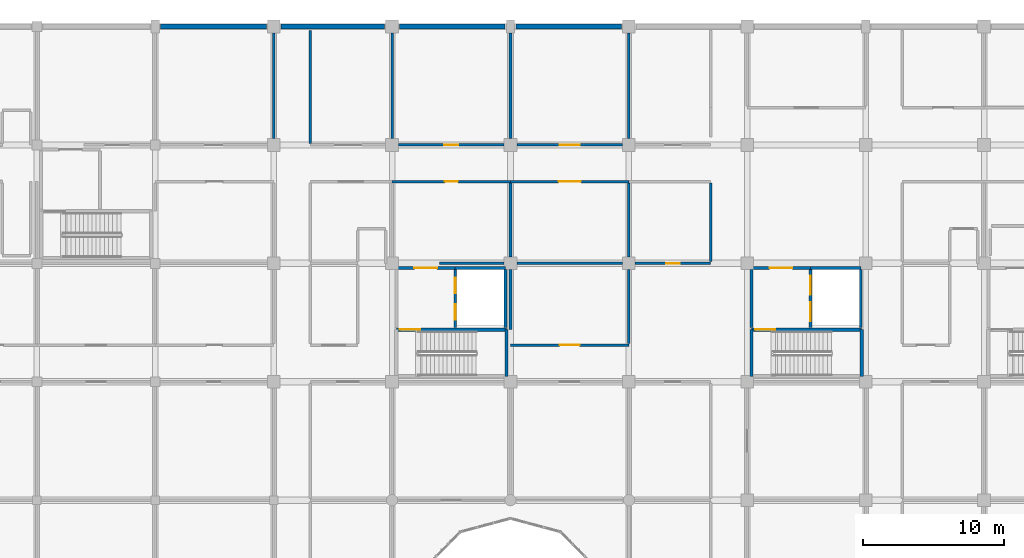
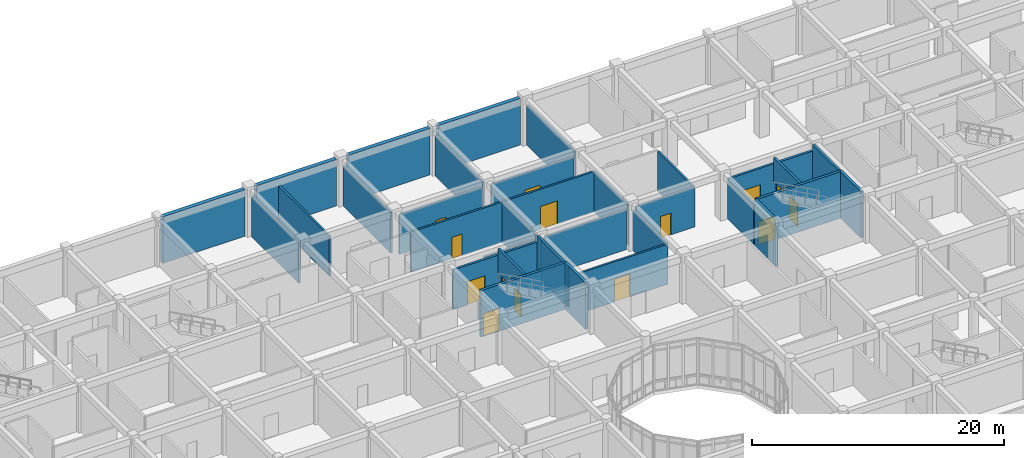
# One storey, part 105 of 138: 36 walls, 14 doors, 14 openings.
"""IFC4 building model written with IfcOpenShell, lengths in metres."""

from ifc_helpers import new_model, si_unit, direction, frame, frame_2d, origin, place, context, subcontext, project, spatial, rectangle, extrude, material, layer, layer_set, type_object, element, fill, save


model = new_model("IFC4")

# Units and contexts
model_context = context("Model", 3, precision=1e-05, world=origin(), true_north=direction((0.0, 1.0)))
body_context = subcontext(model_context, "Body", "Model", "MODEL_VIEW")
ifc_project = project(units=[si_unit("LENGTHUNIT", "METRE"), si_unit("AREAUNIT", "SQUARE_METRE"), si_unit("VOLUMEUNIT", "CUBIC_METRE"), si_unit("PLANEANGLEUNIT", "RADIAN"), si_unit("MASSUNIT", "GRAM", prefix="KILO")], contexts=[model_context])

# Site, building, storey
site_placement = place(None, origin())
site = spatial("IfcSite", under=ifc_project, at=site_placement, CompositionType="ELEMENT")
building_placement = place(site_placement, origin())
building = spatial("IfcBuilding", under=site, at=building_placement, Name="Bramfleet General Hospital", CompositionType="ELEMENT")
storey_placement = place(building_placement, origin())
storey = spatial("IfcBuildingStorey", under=building, at=storey_placement, Name="L00", CompositionType="ELEMENT", Elevation=0.0)

# Walls
ifc_material_1 = material(Name="Concrete C35/45", Category="concrete")
ifc_layer_1 = layer(ifc_material_1, 0.360107421875, Name="WT-EW-02")
ifc_layer_set_1 = layer_set([ifc_layer_1], Name="Concrete C35/45")
wall_type_1 = type_object("IfcWallType", Name="WT-EW-02", PredefinedType="SOLIDWALL", material=ifc_layer_set_1)
wall_1_placement = place(storey_placement, frame((59.175048828125, 117.60009765625, 0.0), z_axis=(0.0, 0.0, 1.0), x_axis=(1.0, 0.0, 0.0)))
element("IfcWall", 1, at=wall_1_placement, inside=storey, type_object=wall_type_1, Name="L00 North REI 90-M Party Wall 112", PredefinedType="SOLIDWALL", context=body_context, shape_type="SweptSolid", body=[
    extrude(rectangle(XDim=7.5, YDim=0.360107421875, at=frame_2d((3.75, 0.0))), origin(), (0.0, 0.0, 1.0), 4.5),
])
wall_2_placement = place(storey_placement, frame((67.72509765625, 117.60009765625, 0.0), z_axis=(0.0, 0.0, 1.0), x_axis=(1.0, 0.0, 0.0)))
element("IfcWall", 2, at=wall_2_placement, inside=storey, type_object=wall_type_1, Name="L00 North REI 90-M Party Wall 113", PredefinedType="SOLIDWALL", context=body_context, shape_type="SweptSolid", body=[
    extrude(rectangle(XDim=7.349853515625, YDim=0.360107421875, at=frame_2d((3.6748046875, 0.0))), origin(), (0.0, 0.0, 1.0), 4.5),
])
for number, where, z_axis, x_axis, name in (
    (3, (76.125, 117.60009765625, 0.0), (0.0, 0.0, 1.0), (1.0, 0.0, 0.0), "L00 North REI 90-M Party Wall 114"),
    (4, (84.375, 117.60009765625, 0.0), (0.0, 0.0, 1.0), (1.0, 0.0, 0.0), "L00 North REI 90-M Party Wall 115"),
):
    element("IfcWall", number, at=place(storey_placement, frame(where, z_axis=z_axis, x_axis=x_axis)), inside=storey, type_object=wall_type_1, Name=name, PredefinedType="SOLIDWALL", context=body_context, shape_type="SweptSolid", body=[
        extrude(rectangle(XDim=7.5, YDim=0.360107421875, at=frame_2d((3.75, 0.0))), origin(), (0.0, 0.0, 1.0), 4.5),
    ])

# Wall, openings, doors
ifc_layer_2 = layer(ifc_material_1, 0.205078125, Name="WT-IW-02")
ifc_layer_set_2 = layer_set([ifc_layer_2], Name="Concrete C35/45")
wall_type_2 = type_object("IfcWallType", Name="WT-IW-02", PredefinedType="PARTITIONING", material=ifc_layer_set_2)
wall_3_placement = place(storey_placement, frame((105.280029296875, 96.239990234375, 0.0), z_axis=(0.0, 0.0, 1.0), x_axis=(0.0, 1.0, 0.0)))
wall_3 = element("IfcWall", 5, at=wall_3_placement, inside=storey, type_object=wall_type_2, Name="L00 C4 Lobby East Shaft Wall", PredefinedType="PARTITIONING", context=body_context, shape_type="SweptSolid", body=[
    extrude(rectangle(XDim=4.1201171875, YDim=0.205078125, at=frame_2d((2.06005859375, 0.0))), origin(), (0.0, 0.0, 1.0), 4.489990234375),
])
opening_1_placement = place(wall_3_placement, frame((0.445068359375, 0.0, 0.0)))
opening_1 = element("IfcOpeningElement", 6, at=opening_1_placement, cuts=wall_3, Name="Opening LD-FL-02-L00", PredefinedType="OPENING", context=body_context, shape_type="SweptSolid", body=[
    extrude(rectangle(XDim=1.35009765625, YDim=2.199951171875, at=frame_2d((0.675048828125, 1.10009765625))), frame((0.0, 0.112548828125, 0.0), z_axis=(0.0, -1.0, 0.0), x_axis=(1.0, 0.0, 0.0)), (0.0, 0.0, 1.0), 0.22509765625),
])
opening_2_placement = place(wall_3_placement, frame((2.324951171875, 0.0, 0.0)))
opening_2 = element("IfcOpeningElement", 7, at=opening_2_placement, cuts=wall_3, Name="Opening LD-BL-04-L00", PredefinedType="OPENING", context=body_context, shape_type="SweptSolid", body=[
    extrude(rectangle(XDim=1.35009765625, YDim=2.199951171875, at=frame_2d((0.675048828125, 1.10009765625))), frame((0.0, 0.112548828125, 0.0), z_axis=(0.0, -1.0, 0.0), x_axis=(1.0, 0.0, 0.0)), (0.0, 0.0, 1.0), 0.22509765625),
])
ifc_material_2 = material(Name="Brushed stainless steel 1.4301", Category="steel")
door_type_1 = type_object("IfcDoorType", Name="DR-LD-01", OperationType="NOTDEFINED", PredefinedType="DOOR", material=ifc_material_2)
door_1_placement = place(opening_1_placement, origin())
door_1 = element("IfcDoor", 8, at=door_1_placement, inside=storey, type_object=door_type_1, Name="L00 Lift FL-02 Sliding Landing Door", OperationType="SLIDING_TO_LEFT", OverallHeight=2.199951171875, OverallWidth=1.35009765625, PredefinedType="DOOR", context=body_context, shape_type="SweptSolid", body=[
    extrude(rectangle(XDim=1.35009765625, YDim=2.199951171875, at=frame_2d((0.675048828125, 1.10009765625))), frame((0.0, 0.02490234375, 0.0), z_axis=(0.0, -1.0, 0.0), x_axis=(1.0, 0.0, 0.0)), (0.0, 0.0, 1.0), 0.050048828125),
])
fill(opening_1, door_1)
door_2_placement = place(opening_2_placement, origin())
door_2 = element("IfcDoor", 9, at=door_2_placement, inside=storey, type_object=door_type_1, Name="L00 Lift BL-04 Sliding Landing Door", OperationType="SLIDING_TO_LEFT", OverallHeight=2.199951171875, OverallWidth=1.35009765625, PredefinedType="DOOR", context=body_context, shape_type="SweptSolid", body=[
    extrude(rectangle(XDim=1.35009765625, YDim=2.199951171875, at=frame_2d((0.675048828125, 1.10009765625))), frame((0.0, 0.02490234375, 0.0), z_axis=(0.0, -1.0, 0.0), x_axis=(1.0, 0.0, 0.0)), (0.0, 0.0, 1.0), 0.050048828125),
])
fill(opening_2, door_2)

# Walls
wall_4_placement = place(storey_placement, frame((108.85009765625, 96.239990234375, 0.0), z_axis=(0.0, 0.0, 1.0), x_axis=(0.0, 1.0, 0.0)))
element("IfcWall", 10, at=wall_4_placement, inside=storey, type_object=wall_type_2, Name="L00 C4 Lift Shaft East Wall", PredefinedType="PARTITIONING", context=body_context, shape_type="SweptSolid", body=[
    extrude(rectangle(XDim=4.1201171875, YDim=0.205078125, at=frame_2d((2.06005859375, 0.0))), origin(), (0.0, 0.0, 1.0), 4.489990234375),
])
wall_5_placement = place(storey_placement, frame((105.280029296875, 100.47998046875, 0.0), z_axis=(0.0, 0.0, 1.0), x_axis=(1.0, 0.0, 0.0)))
element("IfcWall", 11, at=wall_5_placement, inside=storey, type_object=wall_type_2, Name="L00 C4 Lift Shaft North Wall", PredefinedType="PARTITIONING", context=body_context, shape_type="SweptSolid", body=[
    extrude(rectangle(XDim=3.570068359375, YDim=0.205078125, at=frame_2d((1.78515625, 0.0))), origin(), (0.0, 0.0, 1.0), 3.840087890625),
])
wall_6_placement = place(storey_placement, frame((101.10009765625, 96.239990234375, 0.0), z_axis=(0.0, 0.0, 1.0), x_axis=(0.0, 1.0, 0.0)))
element("IfcWall", 12, at=wall_6_placement, inside=storey, type_object=wall_type_2, Name="L00 C4 Lobby West Compartment Wall", PredefinedType="PARTITIONING", context=body_context, shape_type="SweptSolid", body=[
    extrude(rectangle(XDim=4.1201171875, YDim=0.205078125, at=frame_2d((2.06005859375, 0.0))), origin(), (0.0, 0.0, 1.0), 3.889892578125),
])

# Wall, opening, door
wall_7_placement = place(storey_placement, frame((101.10009765625, 100.47998046875, 0.0), z_axis=(0.0, 0.0, 1.0), x_axis=(1.0, 0.0, 0.0)))
wall_7 = element("IfcWall", 13, at=wall_7_placement, inside=storey, type_object=wall_type_2, Name="L00 C4 Lobby North Compartment Wall", PredefinedType="PARTITIONING", context=body_context, shape_type="SweptSolid", body=[
    extrude(rectangle(XDim=4.179931640625, YDim=0.205078125, at=frame_2d((2.08984375, 0.0))), origin(), (0.0, 0.0, 1.0), 3.840087890625),
])
opening_3_placement = place(wall_7_placement, frame((1.2900390625, 0.0, 0.0)))
opening_3 = element("IfcOpeningElement", 14, at=opening_3_placement, cuts=wall_7, Name="Opening D0040", PredefinedType="OPENING", context=body_context, shape_type="SweptSolid", body=[
    extrude(rectangle(XDim=1.60009765625, YDim=2.25, at=frame_2d((0.800048828125, 1.125))), frame((0.0, 0.112548828125, 0.0), z_axis=(0.0, -1.0, 0.0), x_axis=(1.0, 0.0, 0.0)), (0.0, 0.0, 1.0), 0.22509765625),
])
ifc_material_3 = material(Name="Stainless steel and acoustic timber leaf", Category="steel")
door_type_2 = type_object("IfcDoorType", Name="DR-D-04", OperationType="NOTDEFINED", PredefinedType="DOOR", material=ifc_material_3)
door_3_placement = place(opening_3_placement, origin())
door_3 = element("IfcDoor", 15, at=door_3_placement, inside=storey, type_object=door_type_2, Name="L00 C4 Lobby Fire Door D0040", OperationType="DOUBLE_SWING_LEFT", OverallHeight=2.25, OverallWidth=1.60009765625, PredefinedType="DOOR", context=body_context, shape_type="SweptSolid", body=[
    extrude(rectangle(XDim=1.60009765625, YDim=2.25, at=frame_2d((0.800048828125, 1.125))), frame((0.0, 0.02490234375, 0.0), z_axis=(0.0, -1.0, 0.0), x_axis=(1.0, 0.0, 0.0)), (0.0, 0.0, 1.0), 0.050048828125),
])
fill(opening_3, door_3)

# Wall, openings, doors
wall_8_placement = place(storey_placement, frame((80.080078125, 96.239990234375, 0.0), z_axis=(0.0, 0.0, 1.0), x_axis=(0.0, 1.0, 0.0)))
wall_8 = element("IfcWall", 16, at=wall_8_placement, inside=storey, type_object=wall_type_2, Name="L00 C5 Lobby East Shaft Wall", PredefinedType="PARTITIONING", context=body_context, shape_type="SweptSolid", body=[
    extrude(rectangle(XDim=4.1201171875, YDim=0.205078125, at=frame_2d((2.06005859375, 0.0))), origin(), (0.0, 0.0, 1.0), 4.489990234375),
])
opening_4_placement = place(wall_8_placement, frame((0.570068359375, 0.0, 0.0)))
opening_4 = element("IfcOpeningElement", 17, at=opening_4_placement, cuts=wall_8, Name="Opening LD-PL-02-L00", PredefinedType="OPENING", context=body_context, shape_type="SweptSolid", body=[
    extrude(rectangle(XDim=1.10009765625, YDim=2.14990234375, at=frame_2d((0.550048828125, 1.074951171875))), frame((0.0, 0.112548828125, 0.0), z_axis=(0.0, -1.0, 0.0), x_axis=(1.0, 0.0, 0.0)), (0.0, 0.0, 1.0), 0.22509765625),
])
opening_5_placement = place(wall_8_placement, frame((2.449951171875, 0.0, 0.0)))
opening_5 = element("IfcOpeningElement", 18, at=opening_5_placement, cuts=wall_8, Name="Opening LD-PL-03-L00", PredefinedType="OPENING", context=body_context, shape_type="SweptSolid", body=[
    extrude(rectangle(XDim=1.10009765625, YDim=2.14990234375, at=frame_2d((0.550048828125, 1.074951171875))), frame((0.0, 0.112548828125, 0.0), z_axis=(0.0, -1.0, 0.0), x_axis=(1.0, 0.0, 0.0)), (0.0, 0.0, 1.0), 0.22509765625),
])
door_type_3 = type_object("IfcDoorType", Name="DR-LD-02", OperationType="NOTDEFINED", PredefinedType="DOOR", material=ifc_material_2)
door_4_placement = place(opening_4_placement, origin())
door_4 = element("IfcDoor", 19, at=door_4_placement, inside=storey, type_object=door_type_3, Name="L00 Lift PL-02 Sliding Landing Door", OperationType="SLIDING_TO_LEFT", OverallHeight=2.14990234375, OverallWidth=1.10009765625, PredefinedType="DOOR", context=body_context, shape_type="SweptSolid", body=[
    extrude(rectangle(XDim=1.10009765625, YDim=2.14990234375, at=frame_2d((0.550048828125, 1.074951171875))), frame((0.0, 0.02490234375, 0.0), z_axis=(0.0, -1.0, 0.0), x_axis=(1.0, 0.0, 0.0)), (0.0, 0.0, 1.0), 0.050048828125),
])
fill(opening_4, door_4)
door_5_placement = place(opening_5_placement, origin())
door_5 = element("IfcDoor", 20, at=door_5_placement, inside=storey, type_object=door_type_3, Name="L00 Lift PL-03 Sliding Landing Door", OperationType="SLIDING_TO_LEFT", OverallHeight=2.14990234375, OverallWidth=1.10009765625, PredefinedType="DOOR", context=body_context, shape_type="SweptSolid", body=[
    extrude(rectangle(XDim=1.10009765625, YDim=2.14990234375, at=frame_2d((0.550048828125, 1.074951171875))), frame((0.0, 0.02490234375, 0.0), z_axis=(0.0, -1.0, 0.0), x_axis=(1.0, 0.0, 0.0)), (0.0, 0.0, 1.0), 0.050048828125),
])
fill(opening_5, door_5)

# Walls
wall_9_placement = place(storey_placement, frame((83.64990234375, 96.239990234375, 0.0), z_axis=(0.0, 0.0, 1.0), x_axis=(0.0, 1.0, 0.0)))
element("IfcWall", 21, at=wall_9_placement, inside=storey, type_object=wall_type_2, Name="L00 C5 Lift Shaft East Wall", PredefinedType="PARTITIONING", context=body_context, shape_type="SweptSolid", body=[
    extrude(rectangle(XDim=4.1201171875, YDim=0.205078125, at=frame_2d((2.06005859375, 0.0))), origin(), (0.0, 0.0, 1.0), 4.489990234375),
])
wall_10_placement = place(storey_placement, frame((80.080078125, 100.47998046875, 0.0), z_axis=(0.0, 0.0, 1.0), x_axis=(1.0, 0.0, 0.0)))
element("IfcWall", 22, at=wall_10_placement, inside=storey, type_object=wall_type_2, Name="L00 C5 Lift Shaft North Wall", PredefinedType="PARTITIONING", context=body_context, shape_type="SweptSolid", body=[
    extrude(rectangle(XDim=3.56982421875, YDim=0.205078125, at=frame_2d((1.784912109375, 0.0))), origin(), (0.0, 0.0, 1.0), 3.840087890625),
])

# Wall, opening, door
wall_11_placement = place(storey_placement, frame((75.89990234375, 100.47998046875, 0.0), z_axis=(0.0, 0.0, 1.0), x_axis=(1.0, 0.0, 0.0)))
wall_11 = element("IfcWall", 23, at=wall_11_placement, inside=storey, type_object=wall_type_2, Name="L00 C5 Lobby North Compartment Wall", PredefinedType="PARTITIONING", context=body_context, shape_type="SweptSolid", body=[
    extrude(rectangle(XDim=4.18017578125, YDim=0.205078125, at=frame_2d((2.090087890625, 0.0))), origin(), (0.0, 0.0, 1.0), 3.840087890625),
])
opening_6_placement = place(wall_11_placement, frame((1.2900390625, 0.0, 0.0)))
opening_6 = element("IfcOpeningElement", 24, at=opening_6_placement, cuts=wall_11, Name="Opening D0058", PredefinedType="OPENING", context=body_context, shape_type="SweptSolid", body=[
    extrude(rectangle(XDim=1.60009765625, YDim=2.25, at=frame_2d((0.800048828125, 1.125))), frame((0.0, 0.112548828125, 0.0), z_axis=(0.0, -1.0, 0.0), x_axis=(1.0, 0.0, 0.0)), (0.0, 0.0, 1.0), 0.22509765625),
])
door_6_placement = place(opening_6_placement, origin())
door_6 = element("IfcDoor", 25, at=door_6_placement, inside=storey, type_object=door_type_2, Name="L00 C5 Lobby Fire Door D0058", OperationType="DOUBLE_SWING_LEFT", OverallHeight=2.25, OverallWidth=1.60009765625, PredefinedType="DOOR", context=body_context, shape_type="SweptSolid", body=[
    extrude(rectangle(XDim=1.60009765625, YDim=2.25, at=frame_2d((0.800048828125, 1.125))), frame((0.0, 0.02490234375, 0.0), z_axis=(0.0, -1.0, 0.0), x_axis=(1.0, 0.0, 0.0)), (0.0, 0.0, 1.0), 0.050048828125),
])
fill(opening_6, door_6)

ifc_layer_3 = layer(ifc_material_1, 0.179931640625, Name="WT-IW-04")
ifc_layer_set_3 = layer_set([ifc_layer_3], Name="Concrete C35/45")
wall_type_3 = type_object("IfcWallType", Name="WT-IW-04", PredefinedType="PARTITIONING", material=ifc_layer_set_3)
wall_12_placement = place(storey_placement, frame((84.0, 95.0, 0.0), z_axis=(0.0, 0.0, 1.0), x_axis=(1.0, 0.0, 0.0)))
wall_12 = element("IfcWall", 26, at=wall_12_placement, inside=storey, type_object=wall_type_3, Name="L00 Interior Partition IW-L00-0829", PredefinedType="PARTITIONING", context=body_context, shape_type="SweptSolid", body=[
    extrude(rectangle(XDim=8.39990234375, YDim=0.179931640625, at=frame_2d((4.199951171875, 0.0))), origin(), (0.0, 0.0, 1.0), 3.889892578125),
])
opening_7_placement = place(wall_12_placement, frame((3.489990234375, 0.0, 0.0)))
opening_7 = element("IfcOpeningElement", 27, at=opening_7_placement, cuts=wall_12, Name="Opening D0511", PredefinedType="OPENING", context=body_context, shape_type="SweptSolid", body=[
    extrude(rectangle(XDim=1.419921875, YDim=2.219970703125, at=frame_2d((0.7099609375, 1.10986328125))), frame((0.0, 0.099853515625, 0.0), z_axis=(0.0, -1.0, 0.0), x_axis=(1.0, 0.0, 0.0)), (0.0, 0.0, 1.0), 0.199951171875),
])
door_type_4 = type_object("IfcDoorType", Name="DR-D-31", OperationType="NOTDEFINED", PredefinedType="DOOR", material=ifc_material_3)
door_7_placement = place(opening_7_placement, origin())
door_7 = element("IfcDoor", 28, at=door_7_placement, inside=storey, type_object=door_type_4, Name="Diagnostic Ultrasound and Fluoroscopy 1011 Door D0511", OperationType="SINGLE_SWING_RIGHT", OverallHeight=2.219970703125, OverallWidth=1.419921875, PredefinedType="DOOR", context=body_context, shape_type="SweptSolid", body=[
    extrude(rectangle(XDim=1.419921875, YDim=2.219970703125, at=frame_2d((0.7099609375, 1.10986328125))), frame((0.0, 0.02490234375, 0.0), z_axis=(0.0, -1.0, 0.0), x_axis=(1.0, 0.0, 0.0)), (0.0, 0.0, 1.0), 0.050048828125),
])
fill(opening_7, door_7)

# Walls
wall_13_placement = place(storey_placement, frame((78.949951171875, 100.800048828125, 0.0), z_axis=(0.0, 0.0, 1.0), x_axis=(1.0, 0.0, 0.0)))
element("IfcWall", 29, at=wall_13_placement, inside=storey, type_object=wall_type_3, Name="L00 Interior Partition IW-L00-0848", PredefinedType="PARTITIONING", context=body_context, shape_type="SweptSolid", body=[
    extrude(rectangle(XDim=4.60498046875, YDim=0.179931640625, at=frame_2d((2.302490234375, 0.0))), origin(), (0.0, 0.0, 1.0), 3.840087890625),
])
wall_14_placement = place(storey_placement, frame((84.445068359375, 100.800048828125, 0.0), z_axis=(0.0, 0.0, 1.0), x_axis=(1.0, 0.0, 0.0)))
element("IfcWall", 30, at=wall_14_placement, inside=storey, type_object=wall_type_3, Name="L00 Interior Partition IW-L00-0849", PredefinedType="PARTITIONING", context=body_context, shape_type="SweptSolid", body=[
    extrude(rectangle(XDim=7.510009765625, YDim=0.179931640625, at=frame_2d((3.7548828125, 0.0))), origin(), (0.0, 0.0, 1.0), 3.840087890625),
])

# Wall, opening, door
wall_15_placement = place(storey_placement, frame((92.844970703125, 100.800048828125, 0.0), z_axis=(0.0, 0.0, 1.0), x_axis=(1.0, 0.0, 0.0)))
wall_15 = element("IfcWall", 31, at=wall_15_placement, inside=storey, type_object=wall_type_3, Name="L00 Interior Partition IW-L00-0850", PredefinedType="PARTITIONING", context=body_context, shape_type="SweptSolid", body=[
    extrude(rectangle(XDim=5.35498046875, YDim=0.179931640625, at=frame_2d((2.677490234375, 0.0))), origin(), (0.0, 0.0, 1.0), 3.840087890625),
])
opening_8_placement = place(wall_15_placement, frame((2.202392578125, 0.0, 0.0)))
opening_8 = element("IfcOpeningElement", 32, at=opening_8_placement, cuts=wall_15, Name="Opening D0522", PredefinedType="OPENING", context=body_context, shape_type="SweptSolid", body=[
    extrude(rectangle(XDim=0.949951171875, YDim=2.10009765625, at=frame_2d((0.47509765625, 1.050048828125))), frame((0.0, 0.099853515625, 0.0), z_axis=(0.0, -1.0, 0.0), x_axis=(1.0, 0.0, 0.0)), (0.0, 0.0, 1.0), 0.199951171875),
])
door_type_5 = type_object("IfcDoorType", Name="DR-D-10", OperationType="NOTDEFINED", PredefinedType="DOOR", material=ifc_material_3)
door_8_placement = place(opening_8_placement, origin())
door_8 = element("IfcDoor", 33, at=door_8_placement, inside=storey, type_object=door_type_5, Name="Diagnostic Ultrasound and Fluoroscopy 1112 Door D0522", OperationType="SINGLE_SWING_LEFT", OverallHeight=2.10009765625, OverallWidth=0.949951171875, PredefinedType="DOOR", context=body_context, shape_type="SweptSolid", body=[
    extrude(rectangle(XDim=0.949951171875, YDim=2.10009765625, at=frame_2d((0.47509765625, 1.050048828125))), frame((0.0, 0.02490234375, 0.0), z_axis=(0.0, -1.0, 0.0), x_axis=(1.0, 0.0, 0.0)), (0.0, 0.0, 1.0), 0.050048828125),
])
fill(opening_8, door_8)

wall_16_placement = place(storey_placement, frame((75.60009765625, 106.60009765625, 0.0), z_axis=(0.0, 0.0, 1.0), x_axis=(1.0, 0.0, 0.0)))
wall_16 = element("IfcWall", 34, at=wall_16_placement, inside=storey, type_object=wall_type_3, Name="L00 Interior Partition IW-L00-0874", PredefinedType="PARTITIONING", context=body_context, shape_type="SweptSolid", body=[
    extrude(rectangle(XDim=8.39990234375, YDim=0.179931640625, at=frame_2d((4.199951171875, 0.0))), origin(), (0.0, 0.0, 1.0), 3.889892578125),
])
opening_9_placement = place(wall_16_placement, frame((3.739990234375, 0.0, 0.0)))
opening_9 = element("IfcOpeningElement", 35, at=opening_9_placement, cuts=wall_16, Name="Opening D0505", PredefinedType="OPENING", context=body_context, shape_type="SweptSolid", body=[
    extrude(rectangle(XDim=0.919921875, YDim=2.080078125, at=frame_2d((0.4599609375, 1.0400390625))), frame((0.0, 0.099853515625, 0.0), z_axis=(0.0, -1.0, 0.0), x_axis=(1.0, 0.0, 0.0)), (0.0, 0.0, 1.0), 0.199951171875),
])
door_type_6 = type_object("IfcDoorType", Name="DR-D-25", OperationType="NOTDEFINED", PredefinedType="DOOR", material=ifc_material_3)
door_9_placement = place(opening_9_placement, origin())
door_9 = element("IfcDoor", 36, at=door_9_placement, inside=storey, type_object=door_type_6, Name="Diagnostic Ultrasound and Fluoroscopy 0912 Door D0505", OperationType="SINGLE_SWING_RIGHT", OverallHeight=2.080078125, OverallWidth=0.919921875, PredefinedType="DOOR", context=body_context, shape_type="SweptSolid", body=[
    extrude(rectangle(XDim=0.919921875, YDim=2.080078125, at=frame_2d((0.4599609375, 1.0400390625))), frame((0.0, 0.02490234375, 0.0), z_axis=(0.0, -1.0, 0.0), x_axis=(1.0, 0.0, 0.0)), (0.0, 0.0, 1.0), 0.050048828125),
])
fill(opening_9, door_9)

wall_17_placement = place(storey_placement, frame((84.0, 106.60009765625, 0.0), z_axis=(0.0, 0.0, 1.0), x_axis=(1.0, 0.0, 0.0)))
wall_17 = element("IfcWall", 37, at=wall_17_placement, inside=storey, type_object=wall_type_3, Name="L00 Interior Partition IW-L00-0875", PredefinedType="PARTITIONING", context=body_context, shape_type="SweptSolid", body=[
    extrude(rectangle(XDim=8.39990234375, YDim=0.179931640625, at=frame_2d((4.199951171875, 0.0))), origin(), (0.0, 0.0, 1.0), 3.889892578125),
])
opening_10_placement = place(wall_17_placement, frame((3.409912109375, 0.0, 0.0)))
opening_10 = element("IfcOpeningElement", 38, at=opening_10_placement, cuts=wall_17, Name="Opening D0512", PredefinedType="OPENING", context=body_context, shape_type="SweptSolid", body=[
    extrude(rectangle(XDim=1.580078125, YDim=2.219970703125, at=frame_2d((0.7900390625, 1.10986328125))), frame((0.0, 0.099853515625, 0.0), z_axis=(0.0, -1.0, 0.0), x_axis=(1.0, 0.0, 0.0)), (0.0, 0.0, 1.0), 0.199951171875),
])
door_type_7 = type_object("IfcDoorType", Name="DR-D-32", OperationType="NOTDEFINED", PredefinedType="DOOR", material=ifc_material_3)
door_10_placement = place(opening_10_placement, origin())
door_10 = element("IfcDoor", 39, at=door_10_placement, inside=storey, type_object=door_type_7, Name="Diagnostic Ultrasound and Fluoroscopy 1012 Door D0512", OperationType="DOUBLE_SWING_LEFT", OverallHeight=2.219970703125, OverallWidth=1.580078125, PredefinedType="DOOR", context=body_context, shape_type="SweptSolid", body=[
    extrude(rectangle(XDim=1.580078125, YDim=2.219970703125, at=frame_2d((0.7900390625, 1.10986328125))), frame((0.0, 0.02490234375, 0.0), z_axis=(0.0, -1.0, 0.0), x_axis=(1.0, 0.0, 0.0)), (0.0, 0.0, 1.0), 0.050048828125),
])
fill(opening_10, door_10)

wall_18_placement = place(storey_placement, frame((76.044921875, 109.199951171875, 0.0), z_axis=(0.0, 0.0, 1.0), x_axis=(1.0, 0.0, 0.0)))
wall_18 = element("IfcWall", 40, at=wall_18_placement, inside=storey, type_object=wall_type_3, Name="L00 Interior Partition IW-L00-0894", PredefinedType="PARTITIONING", context=body_context, shape_type="SweptSolid", body=[
    extrude(rectangle(XDim=7.510009765625, YDim=0.179931640625, at=frame_2d((3.7548828125, 0.0))), origin(), (0.0, 0.0, 1.0), 3.840087890625),
])
opening_11_placement = place(wall_18_placement, frame((3.264892578125, 0.0, 0.0)))
opening_11 = element("IfcOpeningElement", 41, at=opening_11_placement, cuts=wall_18, Name="Opening D0506", PredefinedType="OPENING", context=body_context, shape_type="SweptSolid", body=[
    extrude(rectangle(XDim=0.97998046875, YDim=2.1201171875, at=frame_2d((0.489990234375, 1.06005859375))), frame((0.0, 0.099853515625, 0.0), z_axis=(0.0, -1.0, 0.0), x_axis=(1.0, 0.0, 0.0)), (0.0, 0.0, 1.0), 0.199951171875),
])
door_type_8 = type_object("IfcDoorType", Name="DR-D-26", OperationType="NOTDEFINED", PredefinedType="DOOR", material=ifc_material_3)
door_11_placement = place(opening_11_placement, origin())
door_11 = element("IfcDoor", 42, at=door_11_placement, inside=storey, type_object=door_type_8, Name="Diagnostic Ultrasound and Fluoroscopy 0913 Door D0506", OperationType="SINGLE_SWING_LEFT", OverallHeight=2.1201171875, OverallWidth=0.97998046875, PredefinedType="DOOR", context=body_context, shape_type="SweptSolid", body=[
    extrude(rectangle(XDim=0.97998046875, YDim=2.1201171875, at=frame_2d((0.489990234375, 1.06005859375))), frame((0.0, 0.02490234375, 0.0), z_axis=(0.0, -1.0, 0.0), x_axis=(1.0, 0.0, 0.0)), (0.0, 0.0, 1.0), 0.050048828125),
])
fill(opening_11, door_11)

wall_19_placement = place(storey_placement, frame((84.445068359375, 109.199951171875, 0.0), z_axis=(0.0, 0.0, 1.0), x_axis=(1.0, 0.0, 0.0)))
wall_19 = element("IfcWall", 43, at=wall_19_placement, inside=storey, type_object=wall_type_3, Name="L00 Interior Partition IW-L00-0895", PredefinedType="PARTITIONING", context=body_context, shape_type="SweptSolid", body=[
    extrude(rectangle(XDim=7.510009765625, YDim=0.179931640625, at=frame_2d((3.7548828125, 0.0))), origin(), (0.0, 0.0, 1.0), 3.840087890625),
])
opening_12_placement = place(wall_19_placement, frame((3.054931640625, 0.0, 0.0)))
opening_12 = element("IfcOpeningElement", 44, at=opening_12_placement, cuts=wall_19, Name="Opening D0513", PredefinedType="OPENING", context=body_context, shape_type="SweptSolid", body=[
    extrude(rectangle(XDim=1.39990234375, YDim=2.199951171875, at=frame_2d((0.699951171875, 1.10009765625))), frame((0.0, 0.099853515625, 0.0), z_axis=(0.0, -1.0, 0.0), x_axis=(1.0, 0.0, 0.0)), (0.0, 0.0, 1.0), 0.199951171875),
])
door_type_9 = type_object("IfcDoorType", Name="DR-D-01", OperationType="NOTDEFINED", PredefinedType="DOOR", material=ifc_material_3)
door_12_placement = place(opening_12_placement, origin())
door_12 = element("IfcDoor", 45, at=door_12_placement, inside=storey, type_object=door_type_9, Name="Diagnostic Ultrasound and Fluoroscopy 1013 Door D0513", OperationType="SINGLE_SWING_RIGHT", OverallHeight=2.199951171875, OverallWidth=1.39990234375, PredefinedType="DOOR", context=body_context, shape_type="SweptSolid", body=[
    extrude(rectangle(XDim=1.39990234375, YDim=2.199951171875, at=frame_2d((0.699951171875, 1.10009765625))), frame((0.0, 0.02490234375, 0.0), z_axis=(0.0, -1.0, 0.0), x_axis=(1.0, 0.0, 0.0)), (0.0, 0.0, 1.0), 0.050048828125),
])
fill(opening_12, door_12)

# Walls
wall_20_placement = place(storey_placement, frame((67.199951171875, 109.64501953125, 0.0), z_axis=(0.0, 0.0, 1.0), x_axis=(0.0, 1.0, 0.0)))
element("IfcWall", 46, at=wall_20_placement, inside=storey, type_object=wall_type_3, Name="L00 Interior Partition IW-L00-1043", PredefinedType="PARTITIONING", context=body_context, shape_type="SweptSolid", body=[
    extrude(rectangle(XDim=7.510009765625, YDim=0.179931640625, at=frame_2d((3.7548828125, 0.0))), origin(), (0.0, 0.0, 1.0), 3.889892578125),
])
wall_21_placement = place(storey_placement, frame((69.800048828125, 109.31494140625, 0.0), z_axis=(0.0, 0.0, 1.0), x_axis=(0.0, 1.0, 0.0)))
element("IfcWall", 47, at=wall_21_placement, inside=storey, type_object=wall_type_3, Name="L00 Interior Partition IW-L00-1050", PredefinedType="PARTITIONING", context=body_context, shape_type="SweptSolid", body=[
    extrude(rectangle(XDim=8.005126953125, YDim=0.179931640625, at=frame_2d((4.00244140625, 0.0))), origin(), (0.0, 0.0, 1.0), 3.840087890625),
])
wall_22_placement = place(storey_placement, frame((75.60009765625, 109.64501953125, 0.0), z_axis=(0.0, 0.0, 1.0), x_axis=(0.0, 1.0, 0.0)))
element("IfcWall", 48, at=wall_22_placement, inside=storey, type_object=wall_type_3, Name="L00 Interior Partition IW-L00-1059", PredefinedType="PARTITIONING", context=body_context, shape_type="SweptSolid", body=[
    extrude(rectangle(XDim=7.510009765625, YDim=0.179931640625, at=frame_2d((3.7548828125, 0.0))), origin(), (0.0, 0.0, 1.0), 3.889892578125),
])
wall_23_placement = place(storey_placement, frame((84.0, 96.10009765625, 0.0), z_axis=(0.0, 0.0, 1.0), x_axis=(0.0, 1.0, 0.0)))
element("IfcWall", 49, at=wall_23_placement, inside=storey, type_object=wall_type_3, Name="L00 Interior Partition IW-L00-1062", PredefinedType="PARTITIONING", context=body_context, shape_type="SweptSolid", body=[
    extrude(rectangle(XDim=4.2548828125, YDim=0.179931640625, at=frame_2d((2.12744140625, 0.0))), origin(), (0.0, 0.0, 1.0), 3.889892578125),
])
wall_24_placement = place(storey_placement, frame((84.0, 101.2451171875, 0.0), z_axis=(0.0, 0.0, 1.0), x_axis=(0.0, 1.0, 0.0)))
element("IfcWall", 50, at=wall_24_placement, inside=storey, type_object=wall_type_3, Name="L00 Interior Partition IW-L00-1063", PredefinedType="PARTITIONING", context=body_context, shape_type="SweptSolid", body=[
    extrude(rectangle(XDim=5.239990234375, YDim=0.179931640625, at=frame_2d((2.6201171875, 0.0))), origin(), (0.0, 0.0, 1.0), 3.889892578125),
])
wall_25_placement = place(storey_placement, frame((84.0, 109.64501953125, 0.0), z_axis=(0.0, 0.0, 1.0), x_axis=(0.0, 1.0, 0.0)))
element("IfcWall", 51, at=wall_25_placement, inside=storey, type_object=wall_type_3, Name="L00 Interior Partition IW-L00-1064", PredefinedType="PARTITIONING", context=body_context, shape_type="SweptSolid", body=[
    extrude(rectangle(XDim=7.510009765625, YDim=0.179931640625, at=frame_2d((3.7548828125, 0.0))), origin(), (0.0, 0.0, 1.0), 3.889892578125),
])
for number, where, z_axis, x_axis, name in (
    (52, (92.39990234375, 95.114990234375, 0.0), (0.0, 0.0, 1.0), (0.0, 1.0, 0.0), "L00 Interior Partition IW-L00-1071"),
    (53, (92.39990234375, 101.2451171875, 0.0), (0.0, 0.0, 1.0), (0.0, 1.0, 0.0), "L00 Interior Partition IW-L00-1072"),
):
    element("IfcWall", number, at=place(storey_placement, frame(where, z_axis=z_axis, x_axis=x_axis)), inside=storey, type_object=wall_type_3, Name=name, PredefinedType="PARTITIONING", context=body_context, shape_type="SweptSolid", body=[
        extrude(rectangle(XDim=5.239990234375, YDim=0.179931640625, at=frame_2d((2.6201171875, 0.0))), origin(), (0.0, 0.0, 1.0), 3.889892578125),
    ])
wall_26_placement = place(storey_placement, frame((92.39990234375, 109.64501953125, 0.0), z_axis=(0.0, 0.0, 1.0), x_axis=(0.0, 1.0, 0.0)))
element("IfcWall", 54, at=wall_26_placement, inside=storey, type_object=wall_type_3, Name="L00 Interior Partition IW-L00-1073", PredefinedType="PARTITIONING", context=body_context, shape_type="SweptSolid", body=[
    extrude(rectangle(XDim=7.510009765625, YDim=0.179931640625, at=frame_2d((3.7548828125, 0.0))), origin(), (0.0, 0.0, 1.0), 3.889892578125),
])
wall_27_placement = place(storey_placement, frame((98.199951171875, 100.9150390625, 0.0), z_axis=(0.0, 0.0, 1.0), x_axis=(0.0, 1.0, 0.0)))
element("IfcWall", 55, at=wall_27_placement, inside=storey, type_object=wall_type_3, Name="L00 Interior Partition IW-L00-1082", PredefinedType="PARTITIONING", context=body_context, shape_type="SweptSolid", body=[
    extrude(rectangle(XDim=5.570068359375, YDim=0.179931640625, at=frame_2d((2.78515625, 0.0))), origin(), (0.0, 0.0, 1.0), 3.840087890625),
])
ifc_material_4 = material(Name="Concrete C40/50", Category="concrete")
ifc_layer_4 = layer(ifc_material_4, 0.239990234375, Name="WT-SW-240")
ifc_layer_set_4 = layer_set([ifc_layer_4], Name="Concrete C40/50")
wall_type_4 = type_object("IfcWallType", Name="WT-SW-240", PredefinedType="SHEAR", material=ifc_layer_set_4)
for number, where, z_axis, x_axis, name in (
    (56, (101.10009765625, 92.780029296875, 0.0), (0.0, 0.0, 1.0), (0.0, 1.0, 0.0), "L00 C4 West Stair Shear Wall"),
    (57, (108.919921875, 92.780029296875, 0.0), (0.0, 0.0, 1.0), (0.0, 1.0, 0.0), "L00 C4 East Stair Shear Wall"),
):
    element("IfcWall", number, at=place(storey_placement, frame(where, z_axis=z_axis, x_axis=x_axis)), inside=storey, type_object=wall_type_4, Name=name, PredefinedType="SHEAR", context=body_context, shape_type="SweptSolid", body=[
        extrude(rectangle(XDim=3.320068359375, YDim=0.239990234375, at=frame_2d((1.66015625, 0.0))), origin(), (0.0, 0.0, 1.0), 4.5),
    ])

# Wall, opening, door
wall_28_placement = place(storey_placement, frame((101.10009765625, 96.10009765625, 0.0), z_axis=(0.0, 0.0, 1.0), x_axis=(1.0, 0.0, 0.0)))
wall_28 = element("IfcWall", 58, at=wall_28_placement, inside=storey, type_object=wall_type_4, Name="L00 C4 Stair-Lobby Shear Wall", PredefinedType="SHEAR", context=body_context, shape_type="SweptSolid", body=[
    extrude(rectangle(XDim=7.81982421875, YDim=0.239990234375, at=frame_2d((3.909912109375, 0.0))), origin(), (0.0, 0.0, 1.0), 4.5),
])
opening_13_placement = place(wall_28_placement, frame((0.25, 0.0, 0.0)))
opening_13 = element("IfcOpeningElement", 59, at=opening_13_placement, cuts=wall_28, Name="Opening D0039", PredefinedType="OPENING", context=body_context, shape_type="SweptSolid", body=[
    extrude(rectangle(XDim=1.449951171875, YDim=2.199951171875, at=frame_2d((0.72509765625, 1.10009765625))), frame((0.0, 0.1298828125, 0.0), z_axis=(0.0, -1.0, 0.0), x_axis=(1.0, 0.0, 0.0)), (0.0, 0.0, 1.0), 0.260009765625),
])
door_type_10 = type_object("IfcDoorType", Name="DR-D-03", OperationType="NOTDEFINED", PredefinedType="DOOR", material=ifc_material_3)
door_13_placement = place(opening_13_placement, origin())
door_13 = element("IfcDoor", 60, at=door_13_placement, inside=storey, type_object=door_type_10, Name="L00 C4 Escape Stair Fire Door D0039", OperationType="SINGLE_SWING_RIGHT", OverallHeight=2.199951171875, OverallWidth=1.449951171875, PredefinedType="DOOR", context=body_context, shape_type="SweptSolid", body=[
    extrude(rectangle(XDim=1.449951171875, YDim=2.199951171875, at=frame_2d((0.72509765625, 1.10009765625))), frame((0.0, 0.02490234375, 0.0), z_axis=(0.0, -1.0, 0.0), x_axis=(1.0, 0.0, 0.0)), (0.0, 0.0, 1.0), 0.050048828125),
])
fill(opening_13, door_13)

# Wall
wall_29_placement = place(storey_placement, frame((83.719970703125, 92.780029296875, 0.0), z_axis=(0.0, 0.0, 1.0), x_axis=(0.0, 1.0, 0.0)))
element("IfcWall", 61, at=wall_29_placement, inside=storey, type_object=wall_type_4, Name="L00 C5 East Stair Shear Wall", PredefinedType="SHEAR", context=body_context, shape_type="SweptSolid", body=[
    extrude(rectangle(XDim=3.320068359375, YDim=0.239990234375, at=frame_2d((1.66015625, 0.0))), origin(), (0.0, 0.0, 1.0), 4.5),
])

# Wall, opening, door
wall_30_placement = place(storey_placement, frame((75.89990234375, 96.10009765625, 0.0), z_axis=(0.0, 0.0, 1.0), x_axis=(1.0, 0.0, 0.0)))
wall_30 = element("IfcWall", 62, at=wall_30_placement, inside=storey, type_object=wall_type_4, Name="L00 C5 Stair-Lobby Shear Wall", PredefinedType="SHEAR", context=body_context, shape_type="SweptSolid", body=[
    extrude(rectangle(XDim=7.820068359375, YDim=0.239990234375, at=frame_2d((3.91015625, 0.0))), origin(), (0.0, 0.0, 1.0), 4.5),
])
opening_14_placement = place(wall_30_placement, frame((0.25, 0.0, 0.0)))
opening_14 = element("IfcOpeningElement", 63, at=opening_14_placement, cuts=wall_30, Name="Opening D0057", PredefinedType="OPENING", context=body_context, shape_type="SweptSolid", body=[
    extrude(rectangle(XDim=1.449951171875, YDim=2.199951171875, at=frame_2d((0.72509765625, 1.10009765625))), frame((0.0, 0.1298828125, 0.0), z_axis=(0.0, -1.0, 0.0), x_axis=(1.0, 0.0, 0.0)), (0.0, 0.0, 1.0), 0.260009765625),
])
door_14_placement = place(opening_14_placement, origin())
door_14 = element("IfcDoor", 64, at=door_14_placement, inside=storey, type_object=door_type_10, Name="L00 C5 Escape Stair Fire Door D0057", OperationType="SINGLE_SWING_RIGHT", OverallHeight=2.199951171875, OverallWidth=1.449951171875, PredefinedType="DOOR", context=body_context, shape_type="SweptSolid", body=[
    extrude(rectangle(XDim=1.449951171875, YDim=2.199951171875, at=frame_2d((0.72509765625, 1.10009765625))), frame((0.0, 0.02490234375, 0.0), z_axis=(0.0, -1.0, 0.0), x_axis=(1.0, 0.0, 0.0)), (0.0, 0.0, 1.0), 0.050048828125),
])
fill(opening_14, door_14)

save(model, "model.ifc")
